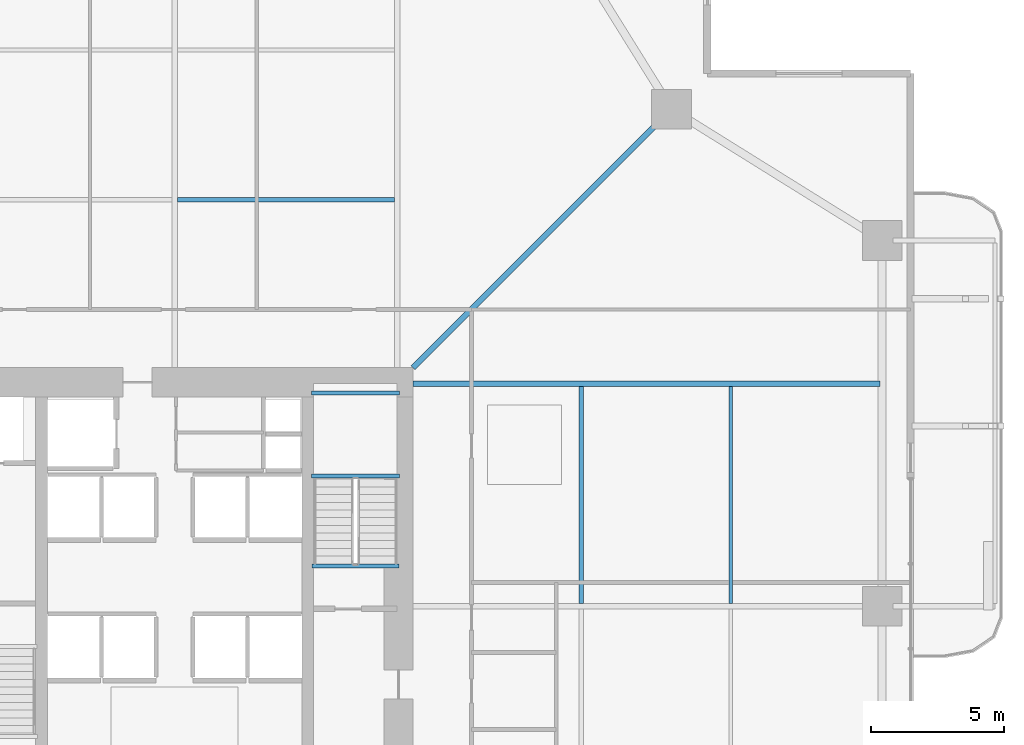
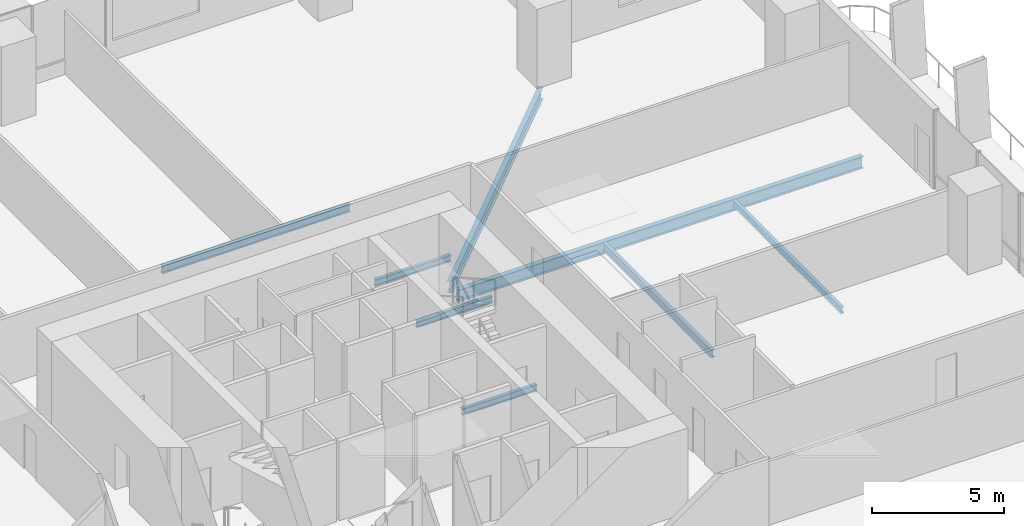
# One storey, part 12 of 24: 8 beams.
"""IFC4 building model written with IfcOpenShell, lengths in metres."""

import ifcopenshell
import ifcopenshell.guid

model = None  # the IFC model being written
_history = None  # IfcOwnerHistory: only IFC2X3 demands one
_inside = {}  # id of a spatial element -> (the spatial element, [elements in it])
_under = {}  # id of a project, library or spatial element -> (it, [spatial elements below it])
_declared = {}  # id of a project -> (the project, [libraries it declares])
_typed = {}  # id of a type object -> (the type object, [elements of that type])
_made_of = {}  # id of a material, layer set ... -> (it, [elements and type objects made of it])


def new_model(schema):
    """Start an empty IFC model of exactly this schema.

    Asked for "IFC4X3", IfcOpenShell would pick the latest addendum, in which some entities
    have other attributes; the version numbers below select the first issue.
    IFC2X3 requires an IfcOwnerHistory on every rooted entity: one is made here for all.
    """
    global model, _history
    if schema == "IFC4X3":
        model = ifcopenshell.file(schema_version=(4, 3, 0, 0))
    else:
        model = ifcopenshell.file(schema=schema)
    _inside.clear()
    _under.clear()
    _declared.clear()
    _typed.clear()
    _made_of.clear()
    _history = None
    if model.schema == "IFC2X3":
        org = make("IfcOrganization", Name="unknown")
        user = make(
            "IfcPersonAndOrganization",
            ThePerson=make("IfcPerson", FamilyName="unknown"),
            TheOrganization=org,
        )
        app = make(
            "IfcApplication",
            ApplicationDeveloper=org,
            Version="unknown",
            ApplicationFullName="unknown",
            ApplicationIdentifier="unknown",
        )
        _history = make(
            "IfcOwnerHistory",
            OwningUser=user,
            OwningApplication=app,
            ChangeAction="ADDED",
            CreationDate=0,
        )
    return model


def make(cls, **values):
    """One entity of the class cls with the attributes given. An attribute that is None is left unset."""
    return model.create_entity(
        cls, **{name: value for name, value in values.items() if value is not None}
    )


def rooted(cls, **values):
    """An entity with a GlobalId (a new one), such as an element, a storey or a relation."""
    return make(cls, GlobalId=ifcopenshell.guid.new(), OwnerHistory=_history, **values)


def si_unit(unit_type, name, prefix=None):
    """IfcSIUnit, for example si_unit("LENGTHUNIT", "METRE", prefix="MILLI")."""
    return make("IfcSIUnit", UnitType=unit_type, Prefix=prefix, Name=name)


def assignment(units):
    """IfcUnitAssignment: the units of a project."""
    return None if units is None else make("IfcUnitAssignment", Units=units)


def point(xyz):
    """IfcCartesianPoint."""
    return None if xyz is None else make("IfcCartesianPoint", Coordinates=xyz)


def direction(xyz):
    """IfcDirection."""
    return None if xyz is None else make("IfcDirection", DirectionRatios=xyz)


def frame(location, z_axis=None, x_axis=None):
    """IfcAxis2Placement3D, a coordinate frame: its origin and axes. An axis left out is left unset."""
    return make(
        "IfcAxis2Placement3D",
        Location=point(location),
        Axis=direction(z_axis),
        RefDirection=direction(x_axis),
    )


def frame_2d(location, x_axis=None):
    """IfcAxis2Placement2D, a coordinate frame in the plane: its origin and x axis."""
    return make(
        "IfcAxis2Placement2D", Location=point(location), RefDirection=direction(x_axis)
    )


def origin():
    """The frame at (0, 0, 0) with its axes left unset."""
    return frame((0.0, 0.0, 0.0))


def origin_2d():
    """The frame at (0, 0) in the plane with its x axis left unset."""
    return frame_2d((0.0, 0.0))


def place(relative_to, where):
    """IfcLocalPlacement: puts the frame where relative to a parent placement (None: the world)."""
    return make(
        "IfcLocalPlacement", PlacementRelTo=relative_to, RelativePlacement=where
    )


def context(
    kind, dimensions, precision=None, world=None, true_north=None, identifier=None
):
    """IfcGeometricRepresentationContext, for example the 3D "Model" context."""
    return make(
        "IfcGeometricRepresentationContext",
        ContextIdentifier=identifier,
        ContextType=kind,
        CoordinateSpaceDimension=dimensions,
        Precision=precision,
        WorldCoordinateSystem=world,
        TrueNorth=true_north,
    )


def subcontext(parent, identifier, kind, view, scale=None):
    """IfcGeometricRepresentationSubContext, for example "Body" below "Model"."""
    return make(
        "IfcGeometricRepresentationSubContext",
        ContextIdentifier=identifier,
        ContextType=kind,
        ParentContext=parent,
        TargetScale=scale,
        TargetView=view,
    )


def project(units=None, contexts=None):
    """IfcProject with its units and contexts."""
    return rooted(
        "IfcProject",
        Name="project",
        RepresentationContexts=contexts,
        UnitsInContext=assignment(units),
    )


def spatial(cls, under=None, at=None, **own):
    """A site, building, storey or space (cls), placed at a placement, below another one or the project."""
    s = rooted(cls, ObjectPlacement=at, **own)
    if under is not None:
        _under.setdefault(under.id(), (under, []))[1].append(s)
    return s


def profile(cls, at=None, kind="AREA", **sizes):
    """A parametric profile (cls). Its sizes go by their IFC names, for example OverallWidth=200.0."""
    return make(cls, ProfileType=kind, Position=at, **sizes)


def i_section(**sizes):
    """IfcIShapeProfileDef."""
    return profile("IfcIShapeProfileDef", **sizes)


def extrude(swept, where, along, depth):
    """IfcExtrudedAreaSolid: the profile swept, set in the frame where, extruded along a direction by depth."""
    return make(
        "IfcExtrudedAreaSolid",
        SweptArea=swept,
        Position=where,
        ExtrudedDirection=direction(along),
        Depth=depth,
    )


def shape(context_of_items, identifier, shape_type, items):
    """IfcShapeRepresentation: the items that make up one representation, for example the "Body"."""
    return make(
        "IfcShapeRepresentation",
        ContextOfItems=context_of_items,
        RepresentationIdentifier=identifier,
        RepresentationType=shape_type,
        Items=items,
    )


def material(Name=None, Category=None):
    """IfcMaterial."""
    return make("IfcMaterial", Name=Name, Category=Category)


def material_profile(
    of_material, cross_section, Name=None, Category=None, Priority=None
):
    """IfcMaterialProfile: a cross section and its material."""
    return make(
        "IfcMaterialProfile",
        Name=Name,
        Material=of_material,
        Profile=cross_section,
        Priority=Priority,
        Category=Category,
    )


def profile_set(profiles, Name=None, composite=None):
    """IfcMaterialProfileSet."""
    return make(
        "IfcMaterialProfileSet",
        Name=Name,
        MaterialProfiles=profiles,
        CompositeProfile=composite,
    )


def made_of(thing, what):
    """Note that an element or type object is made of a material, layer set ...; save() writes the relation."""
    if what is not None:
        _made_of.setdefault(what.id(), (what, []))[1].append(thing)
    return thing


def type_object(cls, material=None, **own):
    """A type object (cls), such as IfcWallType, which elements share."""
    return made_of(rooted(cls, **own), material)


def element(
    cls,
    number,
    at=None,
    inside=None,
    cuts=None,
    type_object=None,
    material=None,
    context=None,
    identifier="Body",
    shape_type=None,
    held_by="IfcProductDefinitionShape",
    body=None,
    shapes=None,
    **own,
):
    """One element of the class cls, such as IfcWall. Its Tag is "e" and its number.

    at: its placement. inside: the storey or other place that contains it. cuts: it is an
    opening in that element (IfcRelVoidsElement). A single representation is given by context,
    identifier, shape_type and body (its items); several are given by shapes. held_by: the class
    of the entity that holds the representations. save() writes the other relations.
    """
    e = rooted(cls, Tag="e%d" % number, ObjectPlacement=at, **own)
    if body is not None:
        shapes = [shape(context, identifier, shape_type, body)]
    if shapes is not None:
        e.Representation = make(held_by, Representations=shapes)
    if inside is not None:
        _inside.setdefault(inside.id(), (inside, []))[1].append(e)
    if cuts is not None:
        rooted(
            "IfcRelVoidsElement", RelatingBuildingElement=cuts, RelatedOpeningElement=e
        )
    if type_object is not None:
        _typed.setdefault(type_object.id(), (type_object, []))[1].append(e)
    return made_of(e, material)


def aggregate(whole, parts):
    """IfcRelAggregates: a whole, such as a stair, and the parts it consists of."""
    return rooted("IfcRelAggregates", RelatingObject=whole, RelatedObjects=parts)


def save(model, path):
    """Write the relations noted so far, then the file.

    IfcRelAggregates (storeys below a building ...), IfcRelContainedInSpatialStructure (elements
    in a storey), IfcRelDefinesByType, IfcRelAssociatesMaterial and IfcRelDeclares: one each for
    every whole, place, type object, material and project.
    """
    for whole, parts in _under.values():
        aggregate(whole, parts)
    for where, things in _inside.values():
        rooted(
            "IfcRelContainedInSpatialStructure",
            RelatedElements=things,
            RelatingStructure=where,
        )
    for kind, things in _typed.values():
        rooted("IfcRelDefinesByType", RelatedObjects=things, RelatingType=kind)
    for what, things in _made_of.values():
        rooted("IfcRelAssociatesMaterial", RelatedObjects=things, RelatingMaterial=what)
    for by, libraries in _declared.values():
        rooted("IfcRelDeclares", RelatingContext=by, RelatedDefinitions=libraries)
    model.write(path)


model = new_model("IFC4")

# Units and contexts
model_context = context("Model", 3, precision=1e-05, world=origin(), true_north=direction((0.0, 1.0)))
body_context = subcontext(model_context, "Body", "Model", "MODEL_VIEW")
ifc_project = project(units=[si_unit("LENGTHUNIT", "METRE"), si_unit("AREAUNIT", "SQUARE_METRE"), si_unit("VOLUMEUNIT", "CUBIC_METRE"), si_unit("PLANEANGLEUNIT", "RADIAN"), si_unit("MASSUNIT", "GRAM", prefix="KILO")], contexts=[model_context])

# Site, building, storey
site_placement = place(None, origin())
site = spatial("IfcSite", under=ifc_project, at=site_placement, CompositionType="ELEMENT")
building_placement = place(site_placement, origin())
building = spatial("IfcBuilding", under=site, at=building_placement, Name="Belovzor Exchange Tower", CompositionType="ELEMENT")
storey_placement = place(building_placement, frame((0.0, 0.0, 45.60009765625)))
storey = spatial("IfcBuildingStorey", under=building, at=storey_placement, Name="L10", CompositionType="ELEMENT", Elevation=45.60009765625)

# Beams
ifc_material_1 = material(Name="Steel S355", Category="steel")
ifc_material_profile_1 = material_profile(ifc_material_1, i_section(OverallWidth=0.169921875, OverallDepth=0.360107421875, WebThickness=0.008056640625, FlangeThickness=0.0126953125, at=origin_2d()))
ifc_profile_set_1 = profile_set([ifc_material_profile_1], Name="Steel S355")
beam_type_1 = type_object("IfcBeamType", Name="Secondary Infill Floor Joist IPE 360", PredefinedType="BEAM", material=ifc_profile_set_1)
for number, where, z_axis, x_axis, name in (
    (1, (28.905029296875, 44.14501953125, -0.43017578125), (1.0, 0.0, 0.0), (0.0, 1.0, 0.0), "FJ-360 Secondary Infill Floor Joist IPE 360"),
    (2, (44.14501953125, 28.905029296875, -0.43017578125), (0.0, 1.0, 0.0), (-1.0, 0.0, 0.0), "FJ-360 Secondary Infill Floor Joist IPE 360"),
):
    element("IfcBeam", number, at=place(storey_placement, frame(where, z_axis=z_axis, x_axis=x_axis)), inside=storey, type_object=beam_type_1, Name=name, PredefinedType="BEAM", context=body_context, shape_type="SweptSolid", body=[
        extrude(i_section(OverallWidth=0.169921875, OverallDepth=0.360107421875, WebThickness=0.008056640625, FlangeThickness=0.0126953125, at=origin_2d()), origin(), (0.0, 0.0, 1.0), 8.18994140625),
    ])
ifc_material_2 = material(Name="Steel S355", Category="steel")
ifc_material_profile_2 = material_profile(ifc_material_2, i_section(OverallWidth=0.14990234375, OverallDepth=0.300048828125, WebThickness=0.007080078125, FlangeThickness=0.0107421875, at=origin_2d()))
ifc_profile_set_2 = profile_set([ifc_material_profile_2], Name="Steel S355")
beam_type_2 = type_object("IfcBeamType", Name="Secondary Trim Floor Joist IPE 300", PredefinedType="BEAM", material=ifc_profile_set_2)
for number, where, z_axis, x_axis, name in (
    (3, (37.280029296875, 33.7099609375, 1.599853515625), (-1.0, 0.0, 0.0), (0.0, -1.0, 0.0), "FJ-300 Secondary Trim Floor Joist IPE 300"),
    (4, (37.280029296875, 36.85009765625, 1.599853515625), (-1.0, 0.0, 0.0), (0.0, -1.0, 0.0), "FJ-300 Secondary Trim Floor Joist IPE 300"),
):
    element("IfcBeam", number, at=place(storey_placement, frame(where, z_axis=z_axis, x_axis=x_axis)), inside=storey, type_object=beam_type_2, Name=name, PredefinedType="BEAM", context=body_context, shape_type="SweptSolid", body=[
        extrude(i_section(OverallWidth=0.14990234375, OverallDepth=0.300048828125, WebThickness=0.007080078125, FlangeThickness=0.0107421875, at=origin_2d()), origin(), (0.0, 0.0, 1.0), 3.31005859375),
    ])
beam_1_placement = place(storey_placement, frame((37.260009765625, 30.320068359375, -0.400146484375), z_axis=(-1.0, 0.0, 0.0), x_axis=(0.0, -1.0, 0.0)))
element("IfcBeam", 5, at=beam_1_placement, inside=storey, type_object=beam_type_2, Name="FJ-300 Secondary Trim Floor Joist IPE 300", PredefinedType="BEAM", context=body_context, shape_type="SweptSolid", body=[
    extrude(i_section(OverallWidth=0.14990234375, OverallDepth=0.300048828125, WebThickness=0.007080078125, FlangeThickness=0.0107421875, at=origin_2d()), origin(), (0.0, 0.0, 1.0), 3.27001953125),
])
beam_2_placement = place(storey_placement, frame((49.784912109375, 28.905029296875, -0.400146484375), z_axis=(0.0, 1.0, 0.0), x_axis=(-1.0, 0.0, 0.0)))
element("IfcBeam", 6, at=beam_2_placement, inside=storey, type_object=beam_type_2, Name="FJ-300 Secondary Trim Floor Joist IPE 300", PredefinedType="BEAM", context=body_context, shape_type="SweptSolid", body=[
    extrude(i_section(OverallWidth=0.14990234375, OverallDepth=0.300048828125, WebThickness=0.007080078125, FlangeThickness=0.0107421875, at=origin_2d()), origin(), (0.0, 0.0, 1.0), 8.18994140625),
])
ifc_material_3 = material(Name="Steel S355", Category="steel")
ifc_material_profile_3 = material_profile(ifc_material_3, i_section(OverallWidth=0.2099609375, OverallDepth=0.550048828125, WebThickness=0.010986328125, FlangeThickness=0.01708984375, at=origin_2d()))
ifc_profile_set_3 = profile_set([ifc_material_profile_3], Name="Steel S355")
beam_type_3 = type_object("IfcBeamType", Name="Zone 1 Radial Composite Floor Beam IPE 550", PredefinedType="BEAM", material=ifc_profile_set_3)
beam_3_placement = place(storey_placement, frame((37.800048828125, 37.199951171875, -0.525146484375), z_axis=(1.0, 0.0, 0.0), x_axis=(0.0, 1.0, 0.0)))
element("IfcBeam", 7, at=beam_3_placement, inside=storey, type_object=beam_type_3, Name="FB-550 Zone 1 Radial Composite Floor Beam IPE 550", PredefinedType="BEAM", context=body_context, shape_type="SweptSolid", body=[
    extrude(i_section(OverallWidth=0.2099609375, OverallDepth=0.550048828125, WebThickness=0.010986328125, FlangeThickness=0.01708984375, at=origin_2d()), origin(), (0.0, 0.0, 1.0), 17.625),
])
beam_4_placement = place(storey_placement, frame((37.800048828125, 37.800048828125, -0.525146484375), z_axis=(0.707106781187, 0.707106781187, 0.0), x_axis=(-0.707106781187, 0.707106781187, 0.0)))
element("IfcBeam", 8, at=beam_4_placement, inside=storey, type_object=beam_type_3, Name="FB-550 Zone 1 Radial Composite Floor Beam IPE 550", PredefinedType="BEAM", context=body_context, shape_type="SweptSolid", body=[
    extrude(i_section(OverallWidth=0.2099609375, OverallDepth=0.550048828125, WebThickness=0.010986328125, FlangeThickness=0.01708984375, at=origin_2d()), origin(), (0.0, 0.0, 1.0), 13.25830078125),
])

save(model, "model.ifc")
